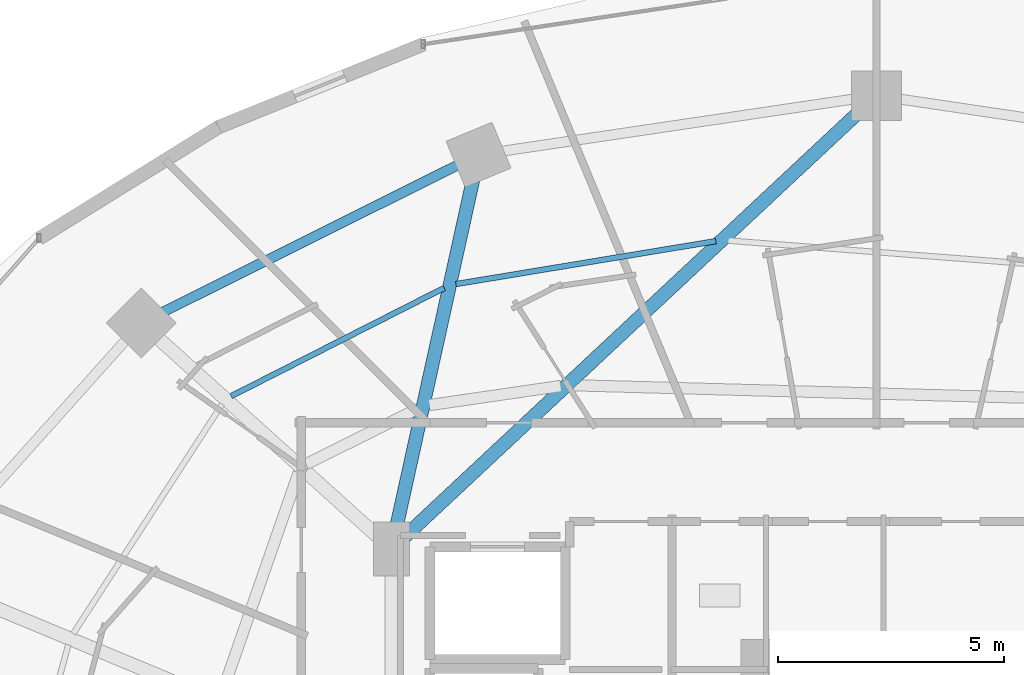
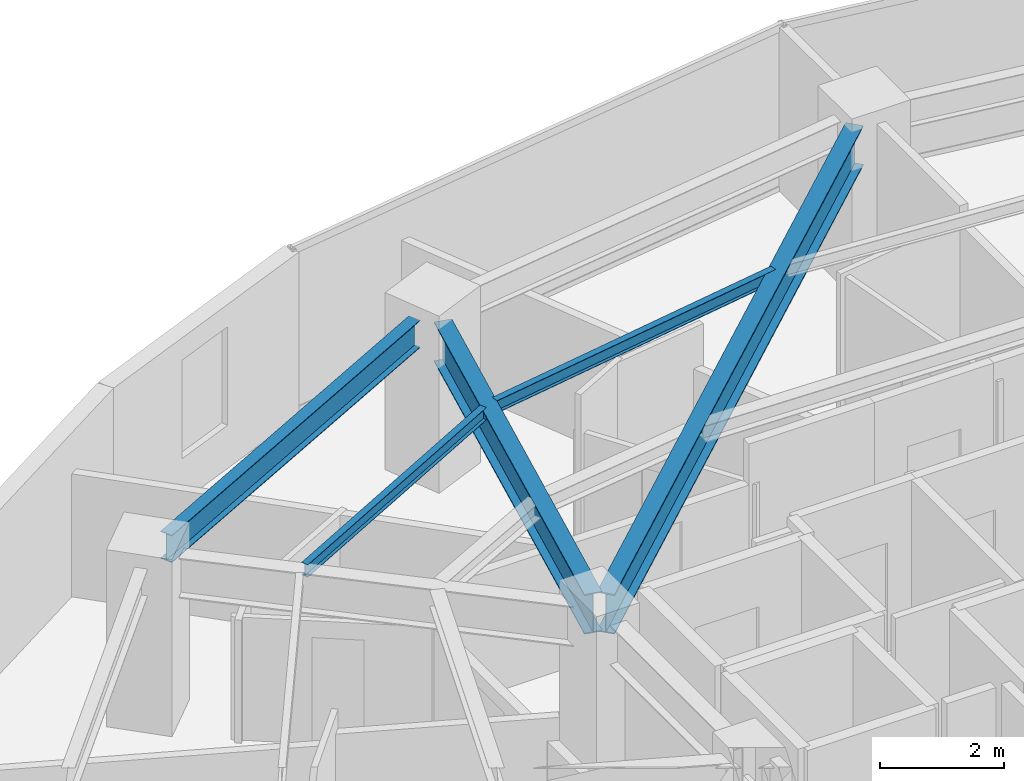
# One storey, part 18 of 31: 5 beams.
"""IFC4 building model written with IfcOpenShell, lengths in metres."""

from ifc_helpers import new_model, si_unit, direction, frame, origin, origin_2d, place, context, subcontext, project, spatial, i_section, extrude, material, material_profile, profile_set, type_object, element, save


model = new_model("IFC4")

# Units and contexts
model_context = context("Model", 3, precision=1e-05, world=origin(), true_north=direction((0.0, 1.0)))
body_context = subcontext(model_context, "Body", "Model", "MODEL_VIEW")
ifc_project = project(units=[si_unit("LENGTHUNIT", "METRE"), si_unit("AREAUNIT", "SQUARE_METRE"), si_unit("VOLUMEUNIT", "CUBIC_METRE"), si_unit("PLANEANGLEUNIT", "RADIAN"), si_unit("MASSUNIT", "GRAM", prefix="KILO")], contexts=[model_context])

# Site, building, storey
site_placement = place(None, origin())
site = spatial("IfcSite", under=ifc_project, at=site_placement, CompositionType="ELEMENT")
building_placement = place(site_placement, origin())
building = spatial("IfcBuilding", under=site, at=building_placement, Name="Vorneva Point Tower", CompositionType="ELEMENT")
storey_placement = place(building_placement, frame((0.0, 0.0, 103.300048828125)))
storey = spatial("IfcBuildingStorey", under=building, at=storey_placement, Name="L27", CompositionType="ELEMENT", Elevation=103.300048828125)

# Beams
ifc_material = material(Name="Steel S355", Category="steel")
ifc_material_profile_1 = material_profile(ifc_material, i_section(OverallWidth=0.300048828125, OverallDepth=0.7880859375, WebThickness=0.014404296875, FlangeThickness=0.02197265625, at=origin_2d()), Name="80Sh1")
ifc_profile_set_1 = profile_set([ifc_material_profile_1], Name="Steel S355")
beam_type_1 = type_object("IfcBeamType", Name="BM-GRD-80Sh1", PredefinedType="USERDEFINED", material=ifc_profile_set_1)
beam_1_placement = place(storey_placement, frame((37.60693359375, 42.83251953125, 2.845947265625), z_axis=(-0.730488863256, -0.682924608327, 0.0), x_axis=(0.682924608327, -0.730488863256, 0.0)))
element("IfcBeam", 1, at=beam_1_placement, inside=storey, type_object=beam_type_1, Name="L27 Radial Primary Girder 05", ObjectType="GIRDER", PredefinedType="USERDEFINED", context=body_context, shape_type="SweptSolid", body=[
    extrude(i_section(OverallWidth=0.300048828125, OverallDepth=0.7880859375, WebThickness=0.014404296875, FlangeThickness=0.02197265625, at=origin_2d()), origin(), (0.0, 0.0, 1.0), 13.838134765625),
])
beam_2_placement = place(storey_placement, frame((29.063232421875, 41.365234375, 2.845947265625), z_axis=(-0.215530944428, -0.976497010745, 0.0), x_axis=(0.976497010745, -0.215530944428, 0.0)))
element("IfcBeam", 2, at=beam_2_placement, inside=storey, type_object=beam_type_1, Name="L27 Radial Primary Girder 06", ObjectType="GIRDER", PredefinedType="USERDEFINED", context=body_context, shape_type="SweptSolid", body=[
    extrude(i_section(OverallWidth=0.300048828125, OverallDepth=0.7880859375, WebThickness=0.014404296875, FlangeThickness=0.02197265625, at=origin_2d()), origin(), (0.0, 0.0, 1.0), 8.072998046875),
])
ifc_material_profile_2 = material_profile(ifc_material, i_section(OverallWidth=0.1240234375, OverallDepth=0.248046875, WebThickness=0.0048828125, FlangeThickness=0.008056640625, at=origin_2d()), Name="25B1")
ifc_profile_set_2 = profile_set([ifc_material_profile_2], Name="Steel S355")
beam_type_2 = type_object("IfcBeamType", Name="BM-JST-25B1", PredefinedType="JOIST", material=ifc_profile_set_2)
beam_3_placement = place(storey_placement, frame((34.438232421875, 39.97509765625, 3.115966796875), z_axis=(-0.986607795404, -0.163110570006, 0.0), x_axis=(0.163110570006, -0.986607795404, 0.0)))
element("IfcBeam", 3, at=beam_3_placement, inside=storey, type_object=beam_type_2, Name="L27 Secondary Floor Beam 1.05", PredefinedType="JOIST", context=body_context, shape_type="SweptSolid", body=[
    extrude(i_section(OverallWidth=0.1240234375, OverallDepth=0.248046875, WebThickness=0.0048828125, FlangeThickness=0.008056640625, at=origin_2d()), origin(), (0.0, 0.0, 1.0), 5.8388671875),
])
beam_4_placement = place(storey_placement, frame((28.418212890625, 38.937744140625, 3.115966796875), z_axis=(-0.89155318404, -0.452916018737, 0.0), x_axis=(0.452916018737, -0.89155318404, 0.0)))
element("IfcBeam", 4, at=beam_4_placement, inside=storey, type_object=beam_type_2, Name="L27 Secondary Floor Beam 1.06", PredefinedType="JOIST", context=body_context, shape_type="SweptSolid", body=[
    extrude(i_section(OverallWidth=0.1240234375, OverallDepth=0.248046875, WebThickness=0.0048828125, FlangeThickness=0.008056640625, at=origin_2d()), origin(), (0.0, 0.0, 1.0), 5.30029296875),
])
ifc_material_profile_3 = material_profile(ifc_material, i_section(OverallWidth=0.219970703125, OverallDepth=0.54296875, WebThickness=0.009521484375, FlangeThickness=0.013427734375, at=origin_2d()), Name="55B1")
ifc_profile_set_3 = profile_set([ifc_material_profile_3], Name="Steel S355")
beam_type_3 = type_object("IfcBeamType", Name="BM-SPN-55B1", PredefinedType="SPANDREL", material=ifc_profile_set_3)
beam_5_placement = place(storey_placement, frame((28.7001953125, 41.652099609375, 2.968505859375), z_axis=(-0.894915882304, -0.446234874926, 0.0), x_axis=(0.446234874926, -0.894915882304, 0.0)))
element("IfcBeam", 5, at=beam_5_placement, inside=storey, type_object=beam_type_3, Name="L27 Perimeter Spandrel Ring Beam 06", PredefinedType="SPANDREL", context=body_context, shape_type="SweptSolid", body=[
    extrude(i_section(OverallWidth=0.219970703125, OverallDepth=0.54296875, WebThickness=0.009521484375, FlangeThickness=0.013427734375, at=origin_2d()), origin(), (0.0, 0.0, 1.0), 7.285888671875),
])

save(model, "model.ifc")
